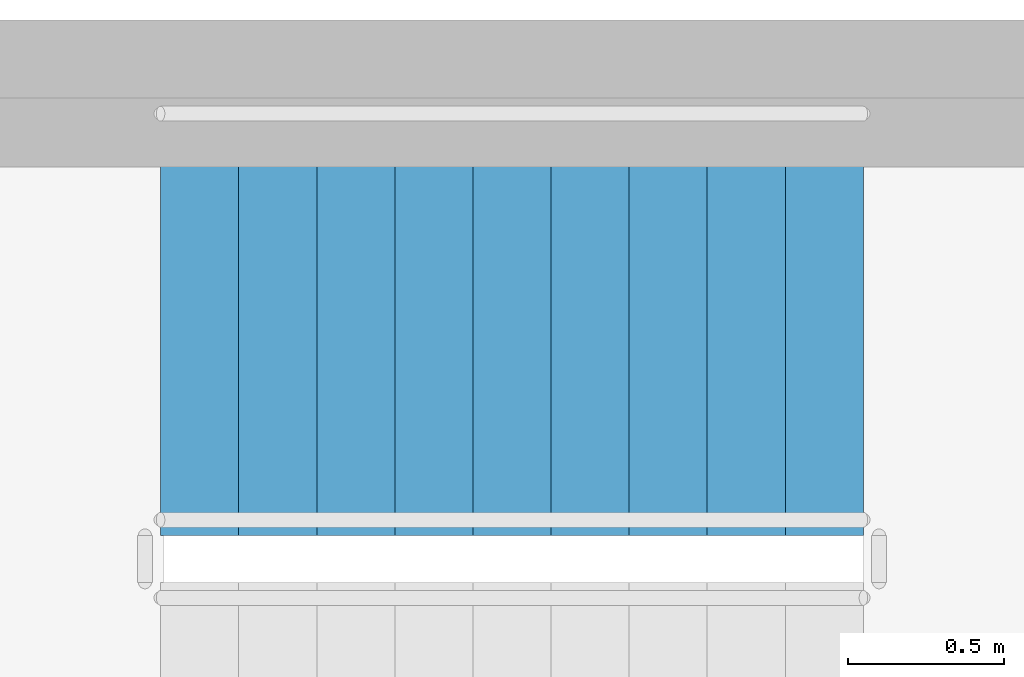
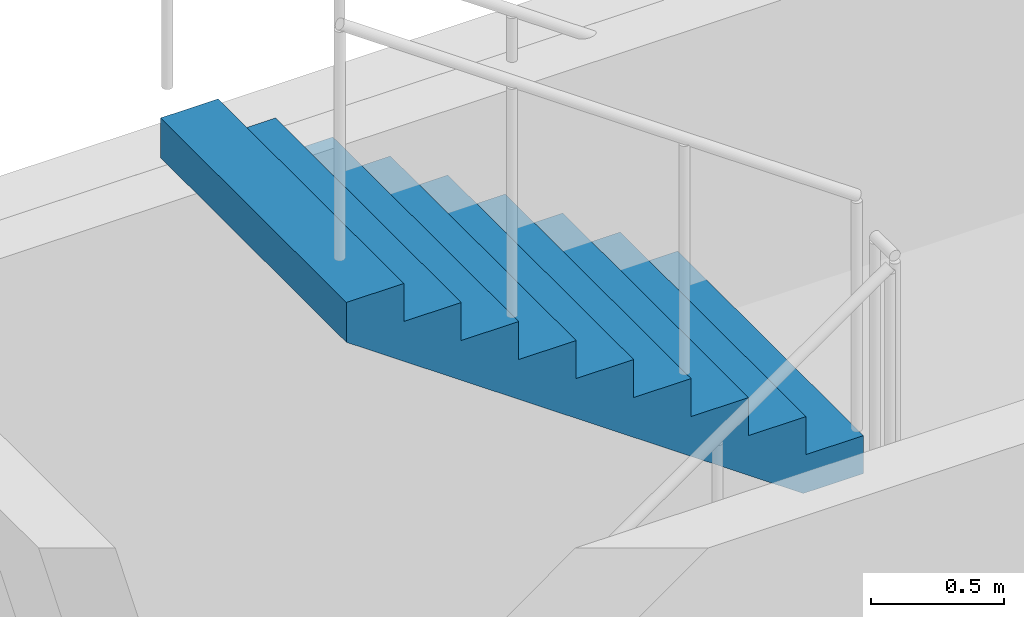
# One storey, part 6 of 10: 1 stair flight, 1 element without a shape of its own.
"""IFC4 building model written with IfcOpenShell, lengths in metres."""

from ifc_helpers import new_model, si_unit, direction, frame, origin, place, context, subcontext, project, spatial, polyline, outline, extrude, source, transform, mapped, material, type_object, element, aggregate, save


model = new_model("IFC4")

# Units and contexts
model_context = context("Model", 3, precision=1e-05, world=origin(), true_north=direction((0.0, 1.0)))
body_context = subcontext(model_context, "Body", "Model", "MODEL_VIEW")
ifc_project = project(units=[si_unit("LENGTHUNIT", "METRE"), si_unit("AREAUNIT", "SQUARE_METRE"), si_unit("VOLUMEUNIT", "CUBIC_METRE"), si_unit("PLANEANGLEUNIT", "RADIAN"), si_unit("MASSUNIT", "GRAM", prefix="KILO")], contexts=[model_context])

# Site, building, storey
site_placement = place(None, origin())
site = spatial("IfcSite", under=ifc_project, at=site_placement, CompositionType="ELEMENT")
building_placement = place(site_placement, origin())
building = spatial("IfcBuilding", under=site, at=building_placement, Name="Aurelian Terraces", CompositionType="ELEMENT")
storey_placement = place(building_placement, frame((0.0, 0.0, 326.5)))
storey = spatial("IfcBuildingStorey", under=building, at=storey_placement, Name="L76", CompositionType="ELEMENT", Elevation=326.5)

# Stair, stair flight
ifc_material = material(Name="Concrete fc' 40 MPa", Category="concrete")
stair_type = type_object("IfcStairType", Name="Stair 1400", PredefinedType="HALF_TURN_STAIR", material=ifc_material)
stair_placement = place(storey_placement, origin())
stair = element("IfcStair", 1, at=stair_placement, inside=storey, type_object=stair_type, Name="L76 S3U", PredefinedType="HALF_TURN_STAIR")
stair_flight_type = type_object("IfcStairFlightType", Name="Stair flight 1400", PredefinedType="STRAIGHT", material=ifc_material)
shared_shape = source(origin(), body_context, "Body", "SweptSolid", [
    extrude(outline(polyline([(0.0, 0.0), (0.0, 0.175), (0.25, 0.175), (0.25, 0.35), (0.5, 0.35), (0.5, 0.525), (0.75, 0.525), (0.75, 0.7), (1.0, 0.7), (1.0, 0.875), (1.25, 0.875), (1.25, 1.05), (1.5, 1.05), (1.5, 1.225), (1.75, 1.225), (1.75, 1.4), (2.0, 1.4), (2.0, 1.575), (2.25, 1.575), (2.25, 1.75), (2.25, 1.3919), (0.2616, 0.0), (0.0, 0.0)])), frame((0.0, 0.7, 0.0), z_axis=(0.0, -1.0, 0.0), x_axis=(1.0, 0.0, 0.0)), (0.0, 0.0, 1.0), 1.4),
])
stair_flight_placement = place(storey_placement, frame((14.85, 42.9, 1.75000002), z_axis=(0.0, 0.0, 1.0), x_axis=(-1.0, 0.0, 0.0)))
stair_flight = element("IfcStairFlight", 2, at=stair_flight_placement, type_object=stair_flight_type, Name="S3U flight 2", NumberOfRisers=10, NumberOfTreads=9, PredefinedType="STRAIGHT", RiserHeight=0.175, TreadLength=0.25, context=body_context, shape_type="MappedRepresentation", body=[
    mapped(shared_shape, transform((0.0, 0.0, 0.0), scale=1.0)),
])
aggregate(stair, [stair_flight])

save(model, "model.ifc")
